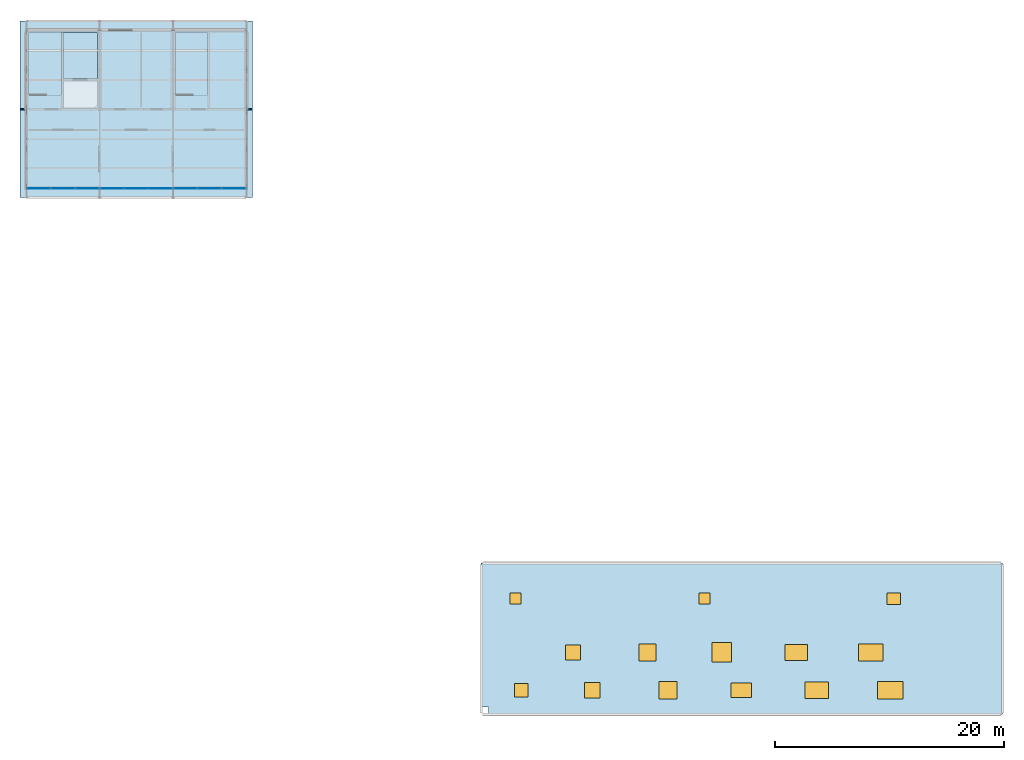
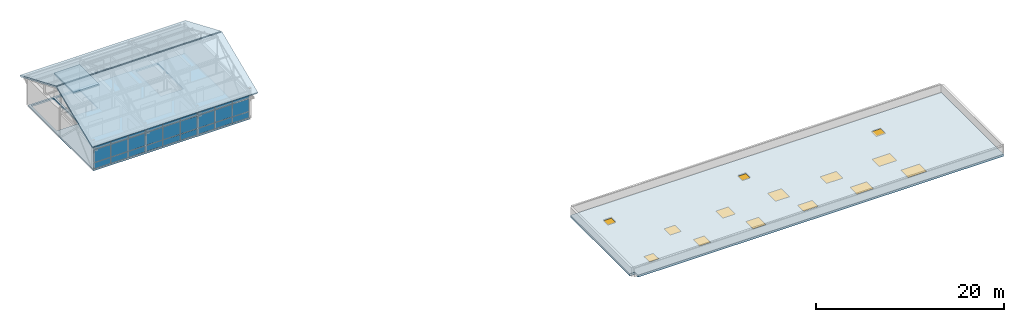
# One storey, part 3 of 11: 27 plates, 11 windows, 5 slabs, 3 doors, 14 openings, 3 elements without a shape of their own.
"""IFC4 building model written with IfcOpenShell, lengths in metres."""

from ifc_helpers import new_model, si_unit, direction, frame, origin, origin_2d, place, context, subcontext, project, spatial, polyline, rectangle, outline, extrude, material, layer, layer_set, type_object, element, fill, aggregate, save


model = new_model("IFC4")

# Units and contexts
model_context = context("Model", 3, precision=1e-05, world=origin(), true_north=direction((0.0, 1.0)))
body_context = subcontext(model_context, "Body", "Model", "MODEL_VIEW")
ifc_project = project(units=[si_unit("LENGTHUNIT", "METRE"), si_unit("AREAUNIT", "SQUARE_METRE"), si_unit("VOLUMEUNIT", "CUBIC_METRE"), si_unit("PLANEANGLEUNIT", "RADIAN"), si_unit("MASSUNIT", "GRAM", prefix="KILO")], contexts=[model_context])

# Site, building, storey
site_placement = place(None, origin())
site = spatial("IfcSite", under=ifc_project, at=site_placement, CompositionType="ELEMENT")
building_placement = place(site_placement, origin())
building = spatial("IfcBuilding", under=site, at=building_placement, Name="Trelmorton Wharf Fire Station", CompositionType="ELEMENT")
storey_placement = place(building_placement, frame((0.0, 0.0, 25.199951171875)))
storey = spatial("IfcBuildingStorey", under=building, at=storey_placement, Name="L06", CompositionType="ELEMENT", Elevation=25.199951171875)

# Curtain wall, plates
ifc_material_1 = material(Name="Anodised aluminium AW-6063", Category="aluminium")
ifc_layer_1 = layer(ifc_material_1, 0.159912109375)
ifc_layer_set_1 = layer_set([ifc_layer_1], Name="Anodised aluminium AW-6063")
curtain_wall_type = type_object("IfcCurtainWallType", Name="CW_CHIC_A", PredefinedType="USERDEFINED", material=ifc_layer_set_1)
curtain_wall_1_placement = place(storey_placement, origin())
curtain_wall_1 = element("IfcCurtainWall", 1, at=curtain_wall_1_placement, inside=storey, type_object=curtain_wall_type, Name="CW-V2-L06-110", ObjectType="CHICAGO BAY CURTAIN WALL", PredefinedType="USERDEFINED")
ifc_material_2 = material(Name="Tempered low-E double glazing", Category="glass")
ifc_layer_2 = layer(ifc_material_2, 0.028076171875)
ifc_layer_set_2 = layer_set([ifc_layer_2], Name="Tempered low-E double glazing")
plate_type_1 = type_object("IfcPlateType", Name="CWP_GLAZ_28", PredefinedType="CURTAIN_PANEL", material=ifc_layer_set_2)
plate_1_placement = place(storey_placement, frame((76.114990234375, 60.300048828125, 0.06005859375), z_axis=(0.0, 0.0, 1.0), x_axis=(-1.0, 0.0, 0.0)))
plate_1 = element("IfcPlate", 2, at=plate_1_placement, type_object=plate_type_1, Name="CW1 panel 1.1", PredefinedType="CURTAIN_PANEL", context=body_context, shape_type="SweptSolid", body=[
    extrude(rectangle(XDim=2.0400390625, YDim=0.028076171875, at=origin_2d()), origin(), (0.0, 0.0, 1.0), 0.760009765625),
])
plate_2_placement = place(storey_placement, frame((76.114990234375, 60.300048828125, 0.8798828125), z_axis=(0.0, 0.0, 1.0), x_axis=(-1.0, 0.0, 0.0)))
plate_2 = element("IfcPlate", 3, at=plate_2_placement, type_object=plate_type_1, Name="CW1 panel 1.2", PredefinedType="CURTAIN_PANEL", context=body_context, shape_type="SweptSolid", body=[
    extrude(rectangle(XDim=2.0400390625, YDim=0.028076171875, at=origin_2d()), origin(), (0.0, 0.0, 1.0), 1.610107421875),
])
plate_3_placement = place(storey_placement, frame((76.114990234375, 60.300048828125, 2.55029296875), z_axis=(0.0, 0.0, 1.0), x_axis=(-1.0, 0.0, 0.0)))
plate_3 = element("IfcPlate", 4, at=plate_3_placement, type_object=plate_type_1, Name="CW1 panel 1.3", PredefinedType="CURTAIN_PANEL", context=body_context, shape_type="SweptSolid", body=[
    extrude(rectangle(XDim=2.0400390625, YDim=0.028076171875, at=origin_2d()), origin(), (0.0, 0.0, 1.0), 0.409912109375),
])
plate_4_placement = place(storey_placement, frame((74.0, 60.300048828125, 0.06005859375), z_axis=(0.0, 0.0, 1.0), x_axis=(-1.0, 0.0, 0.0)))
plate_4 = element("IfcPlate", 5, at=plate_4_placement, type_object=plate_type_1, Name="CW1 panel 2.1", PredefinedType="CURTAIN_PANEL", context=body_context, shape_type="SweptSolid", body=[
    extrude(rectangle(XDim=2.070068359375, YDim=0.028076171875, at=origin_2d()), origin(), (0.0, 0.0, 1.0), 0.760009765625),
])
plate_5_placement = place(storey_placement, frame((74.0, 60.300048828125, 0.8798828125), z_axis=(0.0, 0.0, 1.0), x_axis=(-1.0, 0.0, 0.0)))
plate_5 = element("IfcPlate", 6, at=plate_5_placement, type_object=plate_type_1, Name="CW1 panel 2.2", PredefinedType="CURTAIN_PANEL", context=body_context, shape_type="SweptSolid", body=[
    extrude(rectangle(XDim=2.070068359375, YDim=0.028076171875, at=origin_2d()), origin(), (0.0, 0.0, 1.0), 1.610107421875),
])
plate_6_placement = place(storey_placement, frame((74.0, 60.300048828125, 2.55029296875), z_axis=(0.0, 0.0, 1.0), x_axis=(-1.0, 0.0, 0.0)))
plate_6 = element("IfcPlate", 7, at=plate_6_placement, type_object=plate_type_1, Name="CW1 panel 2.3", PredefinedType="CURTAIN_PANEL", context=body_context, shape_type="SweptSolid", body=[
    extrude(rectangle(XDim=2.070068359375, YDim=0.028076171875, at=origin_2d()), origin(), (0.0, 0.0, 1.0), 0.409912109375),
])
plate_7_placement = place(storey_placement, frame((71.885009765625, 60.300048828125, 0.06005859375), z_axis=(0.0, 0.0, 1.0), x_axis=(-1.0, 0.0, 0.0)))
plate_7 = element("IfcPlate", 8, at=plate_7_placement, type_object=plate_type_1, Name="CW1 panel 3.1", PredefinedType="CURTAIN_PANEL", context=body_context, shape_type="SweptSolid", body=[
    extrude(rectangle(XDim=2.0400390625, YDim=0.028076171875, at=origin_2d()), origin(), (0.0, 0.0, 1.0), 0.760009765625),
])
plate_8_placement = place(storey_placement, frame((71.885009765625, 60.300048828125, 0.8798828125), z_axis=(0.0, 0.0, 1.0), x_axis=(-1.0, 0.0, 0.0)))
plate_8 = element("IfcPlate", 9, at=plate_8_placement, type_object=plate_type_1, Name="CW1 panel 3.2", PredefinedType="CURTAIN_PANEL", context=body_context, shape_type="SweptSolid", body=[
    extrude(rectangle(XDim=2.0400390625, YDim=0.028076171875, at=origin_2d()), origin(), (0.0, 0.0, 1.0), 1.610107421875),
])
plate_9_placement = place(storey_placement, frame((71.885009765625, 60.300048828125, 2.55029296875), z_axis=(0.0, 0.0, 1.0), x_axis=(-1.0, 0.0, 0.0)))
plate_9 = element("IfcPlate", 10, at=plate_9_placement, type_object=plate_type_1, Name="CW1 panel 3.3", PredefinedType="CURTAIN_PANEL", context=body_context, shape_type="SweptSolid", body=[
    extrude(rectangle(XDim=2.0400390625, YDim=0.028076171875, at=origin_2d()), origin(), (0.0, 0.0, 1.0), 0.409912109375),
])
aggregate(curtain_wall_1, [plate_1, plate_2, plate_3, plate_4, plate_5, plate_6, plate_7, plate_8, plate_9])

curtain_wall_2_placement = place(storey_placement, origin())
curtain_wall_2 = element("IfcCurtainWall", 11, at=curtain_wall_2_placement, inside=storey, type_object=curtain_wall_type, Name="CW-V2-L06-112", ObjectType="CHICAGO BAY CURTAIN WALL", PredefinedType="USERDEFINED")
plate_10_placement = place(storey_placement, frame((88.9150390625, 60.300048828125, 0.06005859375), z_axis=(0.0, 0.0, 1.0), x_axis=(-1.0, 0.0, 0.0)))
plate_10 = element("IfcPlate", 12, at=plate_10_placement, type_object=plate_type_1, Name="CW1 panel 1.1", PredefinedType="CURTAIN_PANEL", context=body_context, shape_type="SweptSolid", body=[
    extrude(rectangle(XDim=2.0400390625, YDim=0.028076171875, at=origin_2d()), origin(), (0.0, 0.0, 1.0), 0.760009765625),
])
plate_11_placement = place(storey_placement, frame((88.9150390625, 60.300048828125, 0.8798828125), z_axis=(0.0, 0.0, 1.0), x_axis=(-1.0, 0.0, 0.0)))
plate_11 = element("IfcPlate", 13, at=plate_11_placement, type_object=plate_type_1, Name="CW1 panel 1.2", PredefinedType="CURTAIN_PANEL", context=body_context, shape_type="SweptSolid", body=[
    extrude(rectangle(XDim=2.0400390625, YDim=0.028076171875, at=origin_2d()), origin(), (0.0, 0.0, 1.0), 1.610107421875),
])
plate_12_placement = place(storey_placement, frame((88.9150390625, 60.300048828125, 2.55029296875), z_axis=(0.0, 0.0, 1.0), x_axis=(-1.0, 0.0, 0.0)))
plate_12 = element("IfcPlate", 14, at=plate_12_placement, type_object=plate_type_1, Name="CW1 panel 1.3", PredefinedType="CURTAIN_PANEL", context=body_context, shape_type="SweptSolid", body=[
    extrude(rectangle(XDim=2.0400390625, YDim=0.028076171875, at=origin_2d()), origin(), (0.0, 0.0, 1.0), 0.409912109375),
])
plate_13_placement = place(storey_placement, frame((86.800048828125, 60.300048828125, 0.06005859375), z_axis=(0.0, 0.0, 1.0), x_axis=(-1.0, 0.0, 0.0)))
plate_13 = element("IfcPlate", 15, at=plate_13_placement, type_object=plate_type_1, Name="CW1 panel 2.1", PredefinedType="CURTAIN_PANEL", context=body_context, shape_type="SweptSolid", body=[
    extrude(rectangle(XDim=2.070068359375, YDim=0.028076171875, at=origin_2d()), origin(), (0.0, 0.0, 1.0), 0.760009765625),
])
plate_14_placement = place(storey_placement, frame((86.800048828125, 60.300048828125, 0.8798828125), z_axis=(0.0, 0.0, 1.0), x_axis=(-1.0, 0.0, 0.0)))
plate_14 = element("IfcPlate", 16, at=plate_14_placement, type_object=plate_type_1, Name="CW1 panel 2.2", PredefinedType="CURTAIN_PANEL", context=body_context, shape_type="SweptSolid", body=[
    extrude(rectangle(XDim=2.070068359375, YDim=0.028076171875, at=origin_2d()), origin(), (0.0, 0.0, 1.0), 1.610107421875),
])
plate_15_placement = place(storey_placement, frame((86.800048828125, 60.300048828125, 2.55029296875), z_axis=(0.0, 0.0, 1.0), x_axis=(-1.0, 0.0, 0.0)))
plate_15 = element("IfcPlate", 17, at=plate_15_placement, type_object=plate_type_1, Name="CW1 panel 2.3", PredefinedType="CURTAIN_PANEL", context=body_context, shape_type="SweptSolid", body=[
    extrude(rectangle(XDim=2.070068359375, YDim=0.028076171875, at=origin_2d()), origin(), (0.0, 0.0, 1.0), 0.409912109375),
])
plate_16_placement = place(storey_placement, frame((84.68505859375, 60.300048828125, 0.06005859375), z_axis=(0.0, 0.0, 1.0), x_axis=(-1.0, 0.0, 0.0)))
plate_16 = element("IfcPlate", 18, at=plate_16_placement, type_object=plate_type_1, Name="CW1 panel 3.1", PredefinedType="CURTAIN_PANEL", context=body_context, shape_type="SweptSolid", body=[
    extrude(rectangle(XDim=2.0400390625, YDim=0.028076171875, at=origin_2d()), origin(), (0.0, 0.0, 1.0), 0.760009765625),
])
plate_17_placement = place(storey_placement, frame((84.68505859375, 60.300048828125, 0.8798828125), z_axis=(0.0, 0.0, 1.0), x_axis=(-1.0, 0.0, 0.0)))
plate_17 = element("IfcPlate", 19, at=plate_17_placement, type_object=plate_type_1, Name="CW1 panel 3.2", PredefinedType="CURTAIN_PANEL", context=body_context, shape_type="SweptSolid", body=[
    extrude(rectangle(XDim=2.0400390625, YDim=0.028076171875, at=origin_2d()), origin(), (0.0, 0.0, 1.0), 1.610107421875),
])
plate_18_placement = place(storey_placement, frame((84.68505859375, 60.300048828125, 2.55029296875), z_axis=(0.0, 0.0, 1.0), x_axis=(-1.0, 0.0, 0.0)))
plate_18 = element("IfcPlate", 20, at=plate_18_placement, type_object=plate_type_1, Name="CW1 panel 3.3", PredefinedType="CURTAIN_PANEL", context=body_context, shape_type="SweptSolid", body=[
    extrude(rectangle(XDim=2.0400390625, YDim=0.028076171875, at=origin_2d()), origin(), (0.0, 0.0, 1.0), 0.409912109375),
])
aggregate(curtain_wall_2, [plate_10, plate_11, plate_12, plate_13, plate_14, plate_15, plate_16, plate_17, plate_18])

curtain_wall_3_placement = place(storey_placement, origin())
curtain_wall_3 = element("IfcCurtainWall", 21, at=curtain_wall_3_placement, inside=storey, type_object=curtain_wall_type, Name="CW-V2-L06-111", ObjectType="CHICAGO BAY CURTAIN WALL", PredefinedType="USERDEFINED")
ifc_layer_3 = layer(ifc_material_2, 0.028076171875)
ifc_layer_set_3 = layer_set([ifc_layer_3], Name="Tempered low-E double glazing")
plate_type_2 = type_object("IfcPlateType", Name="CWP_GLAZ_38", PredefinedType="CURTAIN_PANEL", material=ifc_layer_set_3)
plate_19_placement = place(storey_placement, frame((82.514892578125, 60.300048828125, 0.06005859375), z_axis=(0.0, 0.0, 1.0), x_axis=(-1.0, 0.0, 0.0)))
plate_19 = element("IfcPlate", 22, at=plate_19_placement, type_object=plate_type_2, Name="CW1 panel 1.1", PredefinedType="CURTAIN_PANEL", context=body_context, shape_type="SweptSolid", body=[
    extrude(rectangle(XDim=2.0400390625, YDim=0.028076171875, at=origin_2d()), origin(), (0.0, 0.0, 1.0), 0.760009765625),
])
plate_20_placement = place(storey_placement, frame((82.514892578125, 60.300048828125, 0.8798828125), z_axis=(0.0, 0.0, 1.0), x_axis=(-1.0, 0.0, 0.0)))
plate_20 = element("IfcPlate", 23, at=plate_20_placement, type_object=plate_type_2, Name="CW1 panel 1.2", PredefinedType="CURTAIN_PANEL", context=body_context, shape_type="SweptSolid", body=[
    extrude(rectangle(XDim=2.0400390625, YDim=0.028076171875, at=origin_2d()), origin(), (0.0, 0.0, 1.0), 1.610107421875),
])
plate_21_placement = place(storey_placement, frame((82.514892578125, 60.300048828125, 2.55029296875), z_axis=(0.0, 0.0, 1.0), x_axis=(-1.0, 0.0, 0.0)))
plate_21 = element("IfcPlate", 24, at=plate_21_placement, type_object=plate_type_2, Name="CW1 panel 1.3", PredefinedType="CURTAIN_PANEL", context=body_context, shape_type="SweptSolid", body=[
    extrude(rectangle(XDim=2.0400390625, YDim=0.028076171875, at=origin_2d()), origin(), (0.0, 0.0, 1.0), 0.409912109375),
])
plate_22_placement = place(storey_placement, frame((80.39990234375, 60.300048828125, 0.06005859375), z_axis=(0.0, 0.0, 1.0), x_axis=(-1.0, 0.0, 0.0)))
plate_22 = element("IfcPlate", 25, at=plate_22_placement, type_object=plate_type_2, Name="CW1 panel 2.1", PredefinedType="CURTAIN_PANEL", context=body_context, shape_type="SweptSolid", body=[
    extrude(rectangle(XDim=2.070068359375, YDim=0.028076171875, at=origin_2d()), origin(), (0.0, 0.0, 1.0), 0.760009765625),
])
plate_23_placement = place(storey_placement, frame((80.39990234375, 60.300048828125, 0.8798828125), z_axis=(0.0, 0.0, 1.0), x_axis=(-1.0, 0.0, 0.0)))
plate_23 = element("IfcPlate", 26, at=plate_23_placement, type_object=plate_type_2, Name="CW1 panel 2.2", PredefinedType="CURTAIN_PANEL", context=body_context, shape_type="SweptSolid", body=[
    extrude(rectangle(XDim=2.070068359375, YDim=0.028076171875, at=origin_2d()), origin(), (0.0, 0.0, 1.0), 1.610107421875),
])
plate_24_placement = place(storey_placement, frame((80.39990234375, 60.300048828125, 2.55029296875), z_axis=(0.0, 0.0, 1.0), x_axis=(-1.0, 0.0, 0.0)))
plate_24 = element("IfcPlate", 27, at=plate_24_placement, type_object=plate_type_2, Name="CW1 panel 2.3", PredefinedType="CURTAIN_PANEL", context=body_context, shape_type="SweptSolid", body=[
    extrude(rectangle(XDim=2.070068359375, YDim=0.028076171875, at=origin_2d()), origin(), (0.0, 0.0, 1.0), 0.409912109375),
])
plate_25_placement = place(storey_placement, frame((78.284912109375, 60.300048828125, 0.06005859375), z_axis=(0.0, 0.0, 1.0), x_axis=(-1.0, 0.0, 0.0)))
plate_25 = element("IfcPlate", 28, at=plate_25_placement, type_object=plate_type_2, Name="CW1 panel 3.1", PredefinedType="CURTAIN_PANEL", context=body_context, shape_type="SweptSolid", body=[
    extrude(rectangle(XDim=2.0400390625, YDim=0.028076171875, at=origin_2d()), origin(), (0.0, 0.0, 1.0), 0.760009765625),
])
plate_26_placement = place(storey_placement, frame((78.284912109375, 60.300048828125, 0.8798828125), z_axis=(0.0, 0.0, 1.0), x_axis=(-1.0, 0.0, 0.0)))
plate_26 = element("IfcPlate", 29, at=plate_26_placement, type_object=plate_type_2, Name="CW1 panel 3.2", PredefinedType="CURTAIN_PANEL", context=body_context, shape_type="SweptSolid", body=[
    extrude(rectangle(XDim=2.0400390625, YDim=0.028076171875, at=origin_2d()), origin(), (0.0, 0.0, 1.0), 1.610107421875),
])
plate_27_placement = place(storey_placement, frame((78.284912109375, 60.300048828125, 2.55029296875), z_axis=(0.0, 0.0, 1.0), x_axis=(-1.0, 0.0, 0.0)))
plate_27 = element("IfcPlate", 30, at=plate_27_placement, type_object=plate_type_2, Name="CW1 panel 3.3", PredefinedType="CURTAIN_PANEL", context=body_context, shape_type="SweptSolid", body=[
    extrude(rectangle(XDim=2.0400390625, YDim=0.028076171875, at=origin_2d()), origin(), (0.0, 0.0, 1.0), 0.409912109375),
])
aggregate(curtain_wall_3, [plate_19, plate_20, plate_21, plate_22, plate_23, plate_24, plate_25, plate_26, plate_27])

# Slabs
ifc_material_3 = material(Name="Concrete 40 MPa", Category="concrete")
ifc_layer_4 = layer(ifc_material_3, 0.199951171875)
ifc_layer_set_4 = layer_set([ifc_layer_4], Name="Concrete 40 MPa")
slab_type_1 = type_object("IfcSlabType", Name="SL_FLOOR_200", PredefinedType="FLOOR", material=ifc_layer_set_4)
slab_1_placement = place(storey_placement, frame((0.0, 0.0, -0.199951171875)))
element("IfcSlab", 31, at=slab_1_placement, inside=storey, type_object=slab_type_1, Name="SL-V2-L06-050", PredefinedType="FLOOR", context=body_context, shape_type="SweptSolid", body=[
    extrude(outline(polyline([(90.0, 74.10009765625), (90.0, 60.300048828125), (70.800048828125, 60.300048828125), (70.800048828125, 74.10009765625), (90.0, 74.10009765625)]), holes=[polyline([(71.02001953125, 68.43994140625), (73.81005859375, 68.43994140625), (73.81005859375, 73.8798828125), (71.02001953125, 73.8798828125), (71.02001953125, 68.43994140625)]), polyline([(74.0400390625, 73.8798828125), (74.0400390625, 69.919921875), (76.97998046875, 69.919921875), (76.97998046875, 73.8798828125), (74.0400390625, 73.8798828125)]), polyline([(86.610107421875, 73.8798828125), (83.820068359375, 73.8798828125), (83.820068359375, 68.43994140625), (86.610107421875, 68.43994140625), (86.610107421875, 73.8798828125)])]), origin(), (0.0, 0.0, 1.0), 0.199951171875),
])
slab_2_placement = place(storey_placement, frame((0.0, 0.0, 3.02001953125)))
element("IfcSlab", 32, at=slab_2_placement, inside=storey, type_object=slab_type_1, Name="SL-CAP-C6", PredefinedType="FLOOR", context=body_context, shape_type="SweptSolid", body=[
    extrude(outline(polyline([(73.860107421875, 69.739990234375), (76.9951171875, 69.739990234375), (76.9951171875, 73.89501953125), (73.860107421875, 73.89501953125), (73.860107421875, 69.739990234375)])), origin(), (0.0, 0.0, 1.0), 0.199951171875),
])

# Slab, openings, windows, doors
ifc_layer_5 = layer(ifc_material_3, 0.27001953125)
ifc_layer_set_5 = layer_set([ifc_layer_5], Name="Concrete 40 MPa")
slab_type_2 = type_object("IfcSlabType", Name="SL_ROOF_FLAT_190", PredefinedType="ROOF", material=ifc_layer_set_5)
slab_3_placement = place(storey_placement, frame((0.0, 0.0, -0.27001953125)))
slab_3 = element("IfcSlab", 33, at=slab_3_placement, inside=storey, type_object=slab_type_2, Name="SL-ROOF-V5-TOP", PredefinedType="ROOF", context=body_context, shape_type="SweptSolid", body=[
    extrude(outline(polyline([(111.14990234375, 14.39990234375), (111.14990234375, 15.050048828125), (110.5, 15.050048828125), (110.5, 27.60009765625), (156.0, 27.60009765625), (156.0, 14.39990234375), (111.14990234375, 14.39990234375)]), holes=[polyline([(113.02490234375, 24.02490234375), (113.97509765625, 24.02490234375), (113.97509765625, 24.97509765625), (113.02490234375, 24.97509765625), (113.02490234375, 24.02490234375)]), polyline([(146.02490234375, 24.97509765625), (146.02490234375, 24.02490234375), (146.97509765625, 24.02490234375), (146.97509765625, 24.97509765625), (146.02490234375, 24.97509765625)]), polyline([(130.47509765625, 24.97509765625), (129.52490234375, 24.97509765625), (129.52490234375, 24.02490234375), (130.47509765625, 24.02490234375), (130.47509765625, 24.97509765625)])]), origin(), (0.0, 0.0, 1.0), 0.27001953125),
])
opening_1_placement = place(slab_3_placement, frame((114.0, 16.5, 0.0)))
opening_1 = element("IfcOpeningElement", 34, at=opening_1_placement, cuts=slab_3, Name="Opening SK01", PredefinedType="OPENING", context=body_context, shape_type="SweptSolid", body=[
    extrude(rectangle(XDim=1.14990234375, YDim=1.14990234375, at=origin_2d()), origin(), (0.0, 0.0, 1.0), 0.27001953125),
])
opening_2_placement = place(slab_3_placement, frame((120.199951171875, 16.5, 0.0)))
opening_2 = element("IfcOpeningElement", 35, at=opening_2_placement, cuts=slab_3, Name="Opening SK02", PredefinedType="OPENING", context=body_context, shape_type="SweptSolid", body=[
    extrude(rectangle(XDim=1.35009765625, YDim=1.35009765625, at=origin_2d()), origin(), (0.0, 0.0, 1.0), 0.27001953125),
])
opening_3_placement = place(slab_3_placement, frame((126.800048828125, 16.5, 0.0)))
opening_3 = element("IfcOpeningElement", 36, at=opening_3_placement, cuts=slab_3, Name="Opening SK03", PredefinedType="OPENING", context=body_context, shape_type="SweptSolid", body=[
    extrude(rectangle(XDim=1.550048828125, YDim=1.550048828125, at=origin_2d()), origin(), (0.0, 0.0, 1.0), 0.27001953125),
])
opening_4_placement = place(slab_3_placement, frame((133.199951171875, 16.5, 0.0)))
opening_4 = element("IfcOpeningElement", 37, at=opening_4_placement, cuts=slab_3, Name="Opening SK04", PredefinedType="OPENING", context=body_context, shape_type="SweptSolid", body=[
    extrude(rectangle(XDim=1.800048828125, YDim=1.25, at=origin_2d()), origin(), (0.0, 0.0, 1.0), 0.27001953125),
])
opening_5_placement = place(slab_3_placement, frame((139.800048828125, 16.5, 0.0)))
opening_5 = element("IfcOpeningElement", 38, at=opening_5_placement, cuts=slab_3, Name="Opening SK05", PredefinedType="OPENING", context=body_context, shape_type="SweptSolid", body=[
    extrude(rectangle(XDim=2.050048828125, YDim=1.449951171875, at=origin_2d()), origin(), (0.0, 0.0, 1.0), 0.27001953125),
])
opening_6_placement = place(slab_3_placement, frame((146.199951171875, 16.5, 0.0)))
opening_6 = element("IfcOpeningElement", 39, at=opening_6_placement, cuts=slab_3, Name="Opening SK06", PredefinedType="OPENING", context=body_context, shape_type="SweptSolid", body=[
    extrude(rectangle(XDim=2.25, YDim=1.550048828125, at=origin_2d()), origin(), (0.0, 0.0, 1.0), 0.27001953125),
])
opening_7_placement = place(slab_3_placement, frame((118.5, 19.800048828125, 0.0)))
opening_7 = element("IfcOpeningElement", 40, at=opening_7_placement, cuts=slab_3, Name="Opening LDM01", PredefinedType="OPENING", context=body_context, shape_type="SweptSolid", body=[
    extrude(rectangle(XDim=1.300048828125, YDim=1.300048828125, at=origin_2d()), origin(), (0.0, 0.0, 1.0), 0.27001953125),
])
opening_8_placement = place(slab_3_placement, frame((125.0, 19.800048828125, 0.0)))
opening_8 = element("IfcOpeningElement", 41, at=opening_8_placement, cuts=slab_3, Name="Opening LDM02", PredefinedType="OPENING", context=body_context, shape_type="SweptSolid", body=[
    extrude(rectangle(XDim=1.5, YDim=1.5, at=origin_2d()), origin(), (0.0, 0.0, 1.0), 0.27001953125),
])
opening_9_placement = place(slab_3_placement, frame((131.5, 19.800048828125, 0.0)))
opening_9 = element("IfcOpeningElement", 42, at=opening_9_placement, cuts=slab_3, Name="Opening LDM03", PredefinedType="OPENING", context=body_context, shape_type="SweptSolid", body=[
    extrude(rectangle(XDim=1.699951171875, YDim=1.699951171875, at=origin_2d()), origin(), (0.0, 0.0, 1.0), 0.27001953125),
])
opening_10_placement = place(slab_3_placement, frame((138.0, 19.800048828125, 0.0)))
opening_10 = element("IfcOpeningElement", 43, at=opening_10_placement, cuts=slab_3, Name="Opening LDM04", PredefinedType="OPENING", context=body_context, shape_type="SweptSolid", body=[
    extrude(rectangle(XDim=1.949951171875, YDim=1.39990234375, at=origin_2d()), origin(), (0.0, 0.0, 1.0), 0.27001953125),
])
opening_11_placement = place(slab_3_placement, frame((144.5, 19.800048828125, 0.0)))
opening_11 = element("IfcOpeningElement", 44, at=opening_11_placement, cuts=slab_3, Name="Opening LDM05", PredefinedType="OPENING", context=body_context, shape_type="SweptSolid", body=[
    extrude(rectangle(XDim=2.14990234375, YDim=1.5, at=origin_2d()), origin(), (0.0, 0.0, 1.0), 0.27001953125),
])
opening_12_placement = place(slab_3_placement, frame((113.5, 24.5, 0.0)))
opening_12 = element("IfcOpeningElement", 45, at=opening_12_placement, cuts=slab_3, Name="Opening HT-01", PredefinedType="OPENING", context=body_context, shape_type="SweptSolid", body=[
    extrude(rectangle(XDim=0.949951171875, YDim=0.949951171875, at=origin_2d()), origin(), (0.0, 0.0, 1.0), 0.27001953125),
])
opening_13_placement = place(slab_3_placement, frame((146.5, 24.5, 0.0)))
opening_13 = element("IfcOpeningElement", 46, at=opening_13_placement, cuts=slab_3, Name="Opening HT-02", PredefinedType="OPENING", context=body_context, shape_type="SweptSolid", body=[
    extrude(rectangle(XDim=1.14990234375, YDim=1.0, at=origin_2d()), origin(), (0.0, 0.0, 1.0), 0.27001953125),
])
opening_14_placement = place(slab_3_placement, frame((130.0, 24.5, 0.0)))
opening_14 = element("IfcOpeningElement", 47, at=opening_14_placement, cuts=slab_3, Name="Opening HT-05", PredefinedType="OPENING", context=body_context, shape_type="SweptSolid", body=[
    extrude(rectangle(XDim=0.949951171875, YDim=0.949951171875, at=origin_2d()), origin(), (0.0, 0.0, 1.0), 0.27001953125),
])
window_type_1 = type_object("IfcWindowType", Name="DOM_D01", PartitioningType="SINGLE_PANEL", PredefinedType="LIGHTDOME", material=ifc_material_2)
window_1_placement = place(opening_7_placement, frame((0.0, 0.0, 0.219970703125)))
window_1 = element("IfcWindow", 48, at=window_1_placement, inside=storey, type_object=window_type_1, Name="DOM-01", OverallHeight=1.300048828125, OverallWidth=1.300048828125, PartitioningType="SINGLE_PANEL", PredefinedType="LIGHTDOME", context=body_context, shape_type="SweptSolid", body=[
    extrude(rectangle(XDim=1.300048828125, YDim=1.300048828125, at=origin_2d()), origin(), (0.0, 0.0, 1.0), 0.050048828125),
])
fill(opening_7, window_1)
window_type_2 = type_object("IfcWindowType", Name="DOM_D02", PartitioningType="SINGLE_PANEL", PredefinedType="LIGHTDOME", material=ifc_material_2)
window_2_placement = place(opening_8_placement, frame((0.0, 0.0, 0.219970703125)))
window_2 = element("IfcWindow", 49, at=window_2_placement, inside=storey, type_object=window_type_2, Name="DOM-02", OverallHeight=1.5, OverallWidth=1.5, PartitioningType="SINGLE_PANEL", PredefinedType="LIGHTDOME", context=body_context, shape_type="SweptSolid", body=[
    extrude(rectangle(XDim=1.5, YDim=1.5, at=origin_2d()), origin(), (0.0, 0.0, 1.0), 0.050048828125),
])
fill(opening_8, window_2)
window_type_3 = type_object("IfcWindowType", Name="DOM_D03", PartitioningType="SINGLE_PANEL", PredefinedType="LIGHTDOME", material=ifc_material_2)
window_3_placement = place(opening_9_placement, frame((0.0, 0.0, 0.219970703125)))
window_3 = element("IfcWindow", 50, at=window_3_placement, inside=storey, type_object=window_type_3, Name="DOM-03", OverallHeight=1.699951171875, OverallWidth=1.699951171875, PartitioningType="SINGLE_PANEL", PredefinedType="LIGHTDOME", context=body_context, shape_type="SweptSolid", body=[
    extrude(rectangle(XDim=1.699951171875, YDim=1.699951171875, at=origin_2d()), origin(), (0.0, 0.0, 1.0), 0.050048828125),
])
fill(opening_9, window_3)
window_type_4 = type_object("IfcWindowType", Name="DOM_D04", PartitioningType="SINGLE_PANEL", PredefinedType="LIGHTDOME", material=ifc_material_2)
window_4_placement = place(opening_10_placement, frame((0.0, 0.0, 0.219970703125)))
window_4 = element("IfcWindow", 51, at=window_4_placement, inside=storey, type_object=window_type_4, Name="DOM-04", OverallHeight=1.39990234375, OverallWidth=1.949951171875, PartitioningType="SINGLE_PANEL", PredefinedType="LIGHTDOME", context=body_context, shape_type="SweptSolid", body=[
    extrude(rectangle(XDim=1.949951171875, YDim=1.39990234375, at=origin_2d()), origin(), (0.0, 0.0, 1.0), 0.050048828125),
])
fill(opening_10, window_4)
window_type_5 = type_object("IfcWindowType", Name="DOM_D05", PartitioningType="SINGLE_PANEL", PredefinedType="LIGHTDOME", material=ifc_material_2)
window_5_placement = place(opening_11_placement, frame((0.0, 0.0, 0.219970703125)))
window_5 = element("IfcWindow", 52, at=window_5_placement, inside=storey, type_object=window_type_5, Name="DOM-05", OverallHeight=1.5, OverallWidth=2.14990234375, PartitioningType="SINGLE_PANEL", PredefinedType="LIGHTDOME", context=body_context, shape_type="SweptSolid", body=[
    extrude(rectangle(XDim=2.14990234375, YDim=1.5, at=origin_2d()), origin(), (0.0, 0.0, 1.0), 0.050048828125),
])
fill(opening_11, window_5)
door_type_1 = type_object("IfcDoorType", Name="DR_TRAP_095", OperationType="SINGLE_SWING_LEFT", PredefinedType="TRAPDOOR", material=ifc_material_1)
door_1_placement = place(opening_12_placement, frame((0.0, 0.0, 0.219970703125)))
door_1 = element("IfcDoor", 53, at=door_1_placement, inside=storey, type_object=door_type_1, Name="Roof Access Trapdoor HT-01", OperationType="SINGLE_SWING_LEFT", OverallHeight=0.949951171875, OverallWidth=0.949951171875, PredefinedType="TRAPDOOR", context=body_context, shape_type="SweptSolid", body=[
    extrude(rectangle(XDim=0.949951171875, YDim=0.949951171875, at=origin_2d()), origin(), (0.0, 0.0, 1.0), 0.050048828125),
])
fill(opening_12, door_1)
door_2_placement = place(opening_14_placement, frame((0.0, 0.0, 0.219970703125)))
door_2 = element("IfcDoor", 54, at=door_2_placement, inside=storey, type_object=door_type_1, Name="Roof Access Trapdoor HT-05", OperationType="SINGLE_SWING_LEFT", OverallHeight=0.949951171875, OverallWidth=0.949951171875, PredefinedType="TRAPDOOR", context=body_context, shape_type="SweptSolid", body=[
    extrude(rectangle(XDim=0.949951171875, YDim=0.949951171875, at=origin_2d()), origin(), (0.0, 0.0, 1.0), 0.050048828125),
])
fill(opening_14, door_2)
door_type_2 = type_object("IfcDoorType", Name="DR_TRAP_115", OperationType="SINGLE_SWING_LEFT", PredefinedType="TRAPDOOR", material=ifc_material_1)
door_3_placement = place(opening_13_placement, frame((0.0, 0.0, 0.219970703125)))
door_3 = element("IfcDoor", 55, at=door_3_placement, inside=storey, type_object=door_type_2, Name="Roof Access Trapdoor HT-02", OperationType="SINGLE_SWING_LEFT", OverallHeight=1.0, OverallWidth=1.14990234375, PredefinedType="TRAPDOOR", context=body_context, shape_type="SweptSolid", body=[
    extrude(rectangle(XDim=1.14990234375, YDim=1.0, at=origin_2d()), origin(), (0.0, 0.0, 1.0), 0.050048828125),
])
fill(opening_13, door_3)
window_type_6 = type_object("IfcWindowType", Name="SKY_S01", PartitioningType="SINGLE_PANEL", PredefinedType="SKYLIGHT", material=ifc_material_2)
window_6_placement = place(opening_1_placement, frame((0.0, 0.0, 0.219970703125)))
window_6 = element("IfcWindow", 56, at=window_6_placement, inside=storey, type_object=window_type_6, Name="SKY-01", OverallHeight=1.14990234375, OverallWidth=1.14990234375, PartitioningType="SINGLE_PANEL", PredefinedType="SKYLIGHT", context=body_context, shape_type="SweptSolid", body=[
    extrude(rectangle(XDim=1.14990234375, YDim=1.14990234375, at=origin_2d()), origin(), (0.0, 0.0, 1.0), 0.050048828125),
])
fill(opening_1, window_6)
window_type_7 = type_object("IfcWindowType", Name="SKY_S02", PartitioningType="SINGLE_PANEL", PredefinedType="SKYLIGHT", material=ifc_material_2)
window_7_placement = place(opening_2_placement, frame((0.0, 0.0, 0.219970703125)))
window_7 = element("IfcWindow", 57, at=window_7_placement, inside=storey, type_object=window_type_7, Name="SKY-02", OverallHeight=1.35009765625, OverallWidth=1.35009765625, PartitioningType="SINGLE_PANEL", PredefinedType="SKYLIGHT", context=body_context, shape_type="SweptSolid", body=[
    extrude(rectangle(XDim=1.35009765625, YDim=1.35009765625, at=origin_2d()), origin(), (0.0, 0.0, 1.0), 0.050048828125),
])
fill(opening_2, window_7)
window_type_8 = type_object("IfcWindowType", Name="SKY_S03", PartitioningType="SINGLE_PANEL", PredefinedType="SKYLIGHT", material=ifc_material_2)
window_8_placement = place(opening_3_placement, frame((0.0, 0.0, 0.219970703125)))
window_8 = element("IfcWindow", 58, at=window_8_placement, inside=storey, type_object=window_type_8, Name="SKY-03", OverallHeight=1.550048828125, OverallWidth=1.550048828125, PartitioningType="SINGLE_PANEL", PredefinedType="SKYLIGHT", context=body_context, shape_type="SweptSolid", body=[
    extrude(rectangle(XDim=1.550048828125, YDim=1.550048828125, at=origin_2d()), origin(), (0.0, 0.0, 1.0), 0.050048828125),
])
fill(opening_3, window_8)
window_type_9 = type_object("IfcWindowType", Name="SKY_S04", PartitioningType="SINGLE_PANEL", PredefinedType="SKYLIGHT", material=ifc_material_2)
window_9_placement = place(opening_4_placement, frame((0.0, 0.0, 0.219970703125)))
window_9 = element("IfcWindow", 59, at=window_9_placement, inside=storey, type_object=window_type_9, Name="SKY-04", OverallHeight=1.25, OverallWidth=1.800048828125, PartitioningType="SINGLE_PANEL", PredefinedType="SKYLIGHT", context=body_context, shape_type="SweptSolid", body=[
    extrude(rectangle(XDim=1.800048828125, YDim=1.25, at=origin_2d()), origin(), (0.0, 0.0, 1.0), 0.050048828125),
])
fill(opening_4, window_9)
window_type_10 = type_object("IfcWindowType", Name="SKY_S05", PartitioningType="SINGLE_PANEL", PredefinedType="SKYLIGHT", material=ifc_material_2)
window_10_placement = place(opening_5_placement, frame((0.0, 0.0, 0.219970703125)))
window_10 = element("IfcWindow", 60, at=window_10_placement, inside=storey, type_object=window_type_10, Name="SKY-05", OverallHeight=1.449951171875, OverallWidth=2.050048828125, PartitioningType="SINGLE_PANEL", PredefinedType="SKYLIGHT", context=body_context, shape_type="SweptSolid", body=[
    extrude(rectangle(XDim=2.050048828125, YDim=1.449951171875, at=origin_2d()), origin(), (0.0, 0.0, 1.0), 0.050048828125),
])
fill(opening_5, window_10)
window_type_11 = type_object("IfcWindowType", Name="SKY_S06", PartitioningType="SINGLE_PANEL", PredefinedType="SKYLIGHT", material=ifc_material_2)
window_11_placement = place(opening_6_placement, frame((0.0, 0.0, 0.219970703125)))
window_11 = element("IfcWindow", 61, at=window_11_placement, inside=storey, type_object=window_type_11, Name="SKY-06", OverallHeight=1.550048828125, OverallWidth=2.25, PartitioningType="SINGLE_PANEL", PredefinedType="SKYLIGHT", context=body_context, shape_type="SweptSolid", body=[
    extrude(rectangle(XDim=2.25, YDim=1.550048828125, at=origin_2d()), origin(), (0.0, 0.0, 1.0), 0.050048828125),
])
fill(opening_6, window_11)

# Slabs
ifc_material_4 = material(Name="Precast concrete 45 MPa", Category="concrete")
ifc_layer_6 = layer(ifc_material_4, 0.199951171875)
ifc_layer_set_6 = layer_set([ifc_layer_6], Name="Precast concrete 45 MPa")
slab_type_3 = type_object("IfcSlabType", Name="SL_ROOF_SLOPED_200", PredefinedType="ROOF", material=ifc_layer_set_6)
slab_4_placement = place(storey_placement, frame((70.25, 59.5, 3.56396484375), z_axis=(0.0, -0.390888345901, 0.920438102774), x_axis=(1.0, 0.0, 0.0)))
element("IfcSlab", 62, at=slab_4_placement, inside=storey, type_object=slab_type_3, Name="SL-ROOF-V2-S", PredefinedType="ROOF", context=body_context, shape_type="SweptSolid", body=[
    extrude(outline(polyline([(0.0, 0.0), (20.300048828125, 0.0), (20.300048828125, 8.27879372282951), (0.0, 8.27879372282951), (0.0, 0.0)])), origin(), (0.0, 0.0, -1.0), 0.199951171875),
])
slab_5_placement = place(storey_placement, frame((70.25, 67.280029296875, 6.800048828125), z_axis=(0.0, 0.390898956283, 0.920433596723), x_axis=(1.0, 0.0, 0.0)))
element("IfcSlab", 63, at=slab_5_placement, inside=storey, type_object=slab_type_3, Name="SL-ROOF-V2-N", PredefinedType="ROOF", context=body_context, shape_type="SweptSolid", body=[
    extrude(outline(polyline([(0.0, 0.0), (20.300048828125, 0.0), (20.300048828125, 8.27856900704587), (0.0, 8.27856900704587), (0.0, 0.0)])), origin(), (0.0, 0.0, -1.0), 0.199951171875),
])

save(model, "model.ifc")
